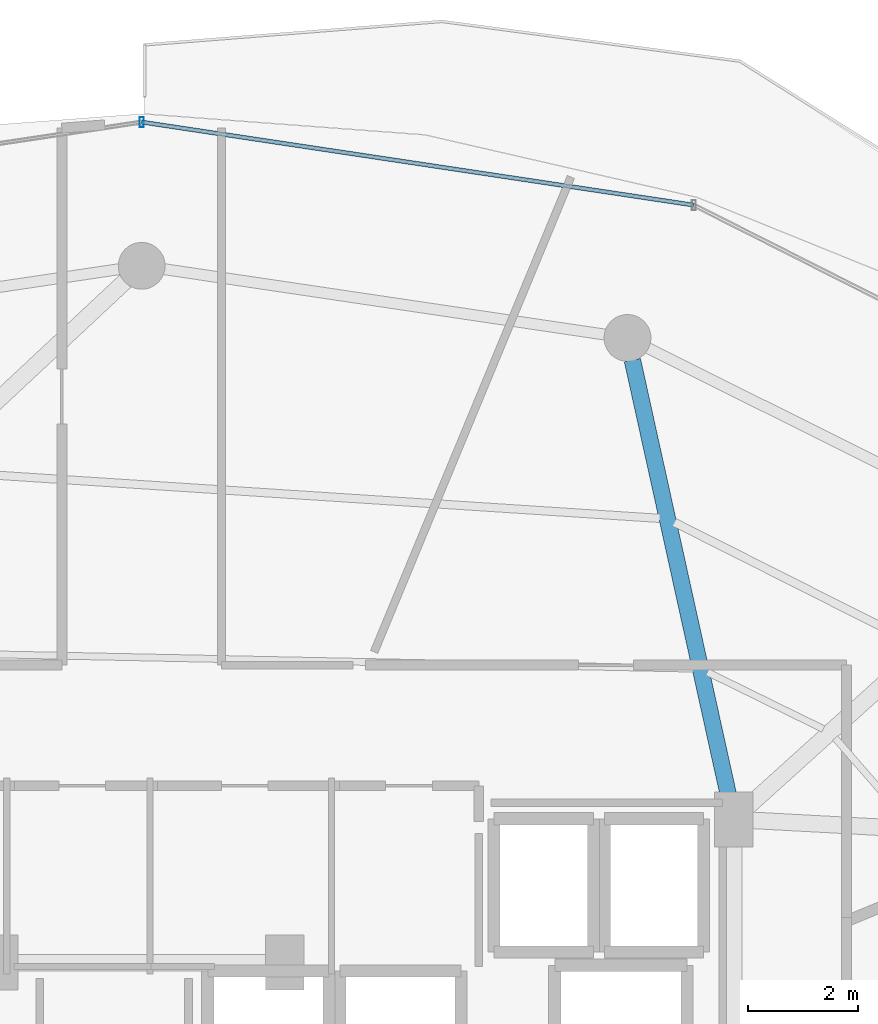
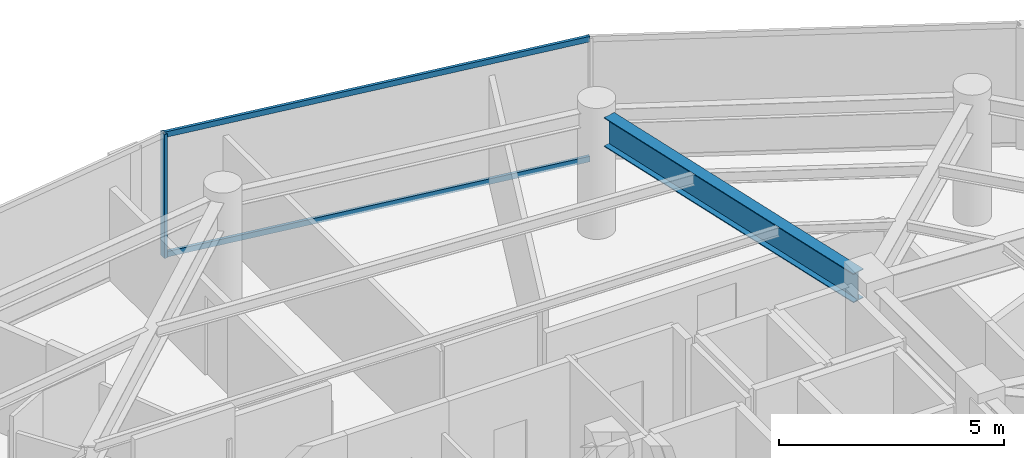
# One storey, part 20 of 31: 3 members, 1 beam, 1 element without a shape of its own.
"""IFC4 building model written with IfcOpenShell, lengths in metres."""

from ifc_helpers import new_model, si_unit, direction, frame, origin, origin_2d, place, context, subcontext, project, spatial, hollow_rectangle, i_section, extrude, material, material_profile, profile_set, type_object, element, aggregate, save


model = new_model("IFC4")

# Units and contexts
model_context = context("Model", 3, precision=1e-05, world=origin(), true_north=direction((0.0, 1.0)))
body_context = subcontext(model_context, "Body", "Model", "MODEL_VIEW")
ifc_project = project(units=[si_unit("LENGTHUNIT", "METRE"), si_unit("AREAUNIT", "SQUARE_METRE"), si_unit("VOLUMEUNIT", "CUBIC_METRE"), si_unit("PLANEANGLEUNIT", "RADIAN"), si_unit("MASSUNIT", "GRAM", prefix="KILO")], contexts=[model_context])

# Site, building, storey
site_placement = place(None, origin())
site = spatial("IfcSite", under=ifc_project, at=site_placement, CompositionType="ELEMENT")
building_placement = place(site_placement, origin())
building = spatial("IfcBuilding", under=site, at=building_placement, Name="Vorneva Point Tower", CompositionType="ELEMENT")
storey_placement = place(building_placement, frame((0.0, 0.0, 244.89990234375)))
storey = spatial("IfcBuildingStorey", under=building, at=storey_placement, Name="L66", CompositionType="ELEMENT", Elevation=244.89990234375)

# Beam
ifc_material_1 = material(Name="Steel S355", Category="steel")
ifc_material_profile_1 = material_profile(ifc_material_1, i_section(OverallWidth=0.300048828125, OverallDepth=0.7880859375, WebThickness=0.014404296875, FlangeThickness=0.02197265625, at=origin_2d()), Name="80Sh1")
ifc_profile_set_1 = profile_set([ifc_material_profile_1], Name="Steel S355")
beam_type = type_object("IfcBeamType", Name="BM-GRD-80Sh1", PredefinedType="USERDEFINED", material=ifc_profile_set_1)
beam_placement = place(storey_placement, frame((46.909912109375, 41.4873046875, 2.89599609375), z_axis=(0.215520742957, -0.976499262342, 0.0), x_axis=(0.976499262342, 0.215520742957, 0.0)))
element("IfcBeam", 1, at=beam_placement, inside=storey, type_object=beam_type, Name="L66 Radial Primary Girder 04", ObjectType="GIRDER", PredefinedType="USERDEFINED", context=body_context, shape_type="SweptSolid", body=[
    extrude(i_section(OverallWidth=0.300048828125, OverallDepth=0.7880859375, WebThickness=0.014404296875, FlangeThickness=0.02197265625, at=origin_2d()), origin(), (0.0, 0.0, 1.0), 8.197998046875),
])

# Curtain wall, members
ifc_material_2 = material(Name="Pale anodised aluminium", Category="aluminium")
curtain_wall_type = type_object("IfcCurtainWallType", Name="CW-RES-SYS", PredefinedType="NOTDEFINED", material=ifc_material_2)
curtain_wall_placement = place(storey_placement, origin())
curtain_wall = element("IfcCurtainWall", 2, at=curtain_wall_placement, inside=storey, type_object=curtain_wall_type, Name="L66 Unitised Curtain Wall CW-L66-R02", PredefinedType="NOTDEFINED")
ifc_material_profile_2 = material_profile(ifc_material_2, hollow_rectangle(XDim=0.074951171875, YDim=0.179931640625, WallThickness=0.00390625, at=origin_2d()), Name="AL-MUL 180x75x4")
ifc_profile_set_2 = profile_set([ifc_material_profile_2], Name="Pale anodised aluminium")
member_type_1 = type_object("IfcMemberType", Name="CW-MUL-180", PredefinedType="MULLION", material=ifc_profile_set_2)
member_1_placement = place(storey_placement, frame((38.0, 45.81005859375, -0.039794921875), z_axis=(0.0, 0.0, 1.0), x_axis=(1.0, 0.0, 0.0)))
member_1 = element("IfcMember", 3, at=member_1_placement, type_object=member_type_1, Name="CW-L66-R02 Mullion 03", PredefinedType="MULLION", context=body_context, shape_type="SweptSolid", body=[
    extrude(hollow_rectangle(XDim=0.074951171875, YDim=0.179931640625, WallThickness=0.00390625, at=origin_2d()), origin(), (0.0, 0.0, 1.0), 3.35986328125),
])
ifc_material_profile_3 = material_profile(ifc_material_2, hollow_rectangle(XDim=0.074951171875, YDim=0.14990234375, WallThickness=0.00390625, at=origin_2d()), Name="AL-TRN 150x75x4")
ifc_profile_set_3 = profile_set([ifc_material_profile_3], Name="Pale anodised aluminium")
member_type_2 = type_object("IfcMemberType", Name="CW-TRN-150", PredefinedType="USERDEFINED", material=ifc_profile_set_3)
member_2_placement = place(storey_placement, frame((48.0263671875, 44.302001953125, 0.02001953125), z_axis=(-0.988876929856, 0.148736066907, 0.0), x_axis=(-0.148736066907, -0.988876929856, 0.0)))
member_2 = element("IfcMember", 4, at=member_2_placement, type_object=member_type_2, Name="CW-L66-R02 Transom 02.1", ObjectType="TRANSOM", PredefinedType="USERDEFINED", context=body_context, shape_type="SweptSolid", body=[
    extrude(hollow_rectangle(XDim=0.074951171875, YDim=0.14990234375, WallThickness=0.00390625, at=origin_2d()), origin(), (0.0, 0.0, 1.0), 10.13916015625),
])
member_3_placement = place(storey_placement, frame((48.0263671875, 44.302001953125, 3.27001953125), z_axis=(-0.988876929856, 0.148736066907, 0.0), x_axis=(-0.148736066907, -0.988876929856, 0.0)))
member_3 = element("IfcMember", 5, at=member_3_placement, type_object=member_type_2, Name="CW-L66-R02 Transom 02.2", ObjectType="TRANSOM", PredefinedType="USERDEFINED", context=body_context, shape_type="SweptSolid", body=[
    extrude(hollow_rectangle(XDim=0.074951171875, YDim=0.14990234375, WallThickness=0.00390625, at=origin_2d()), origin(), (0.0, 0.0, 1.0), 10.13916015625),
])
aggregate(curtain_wall, [member_1, member_2, member_3])

save(model, "model.ifc")
